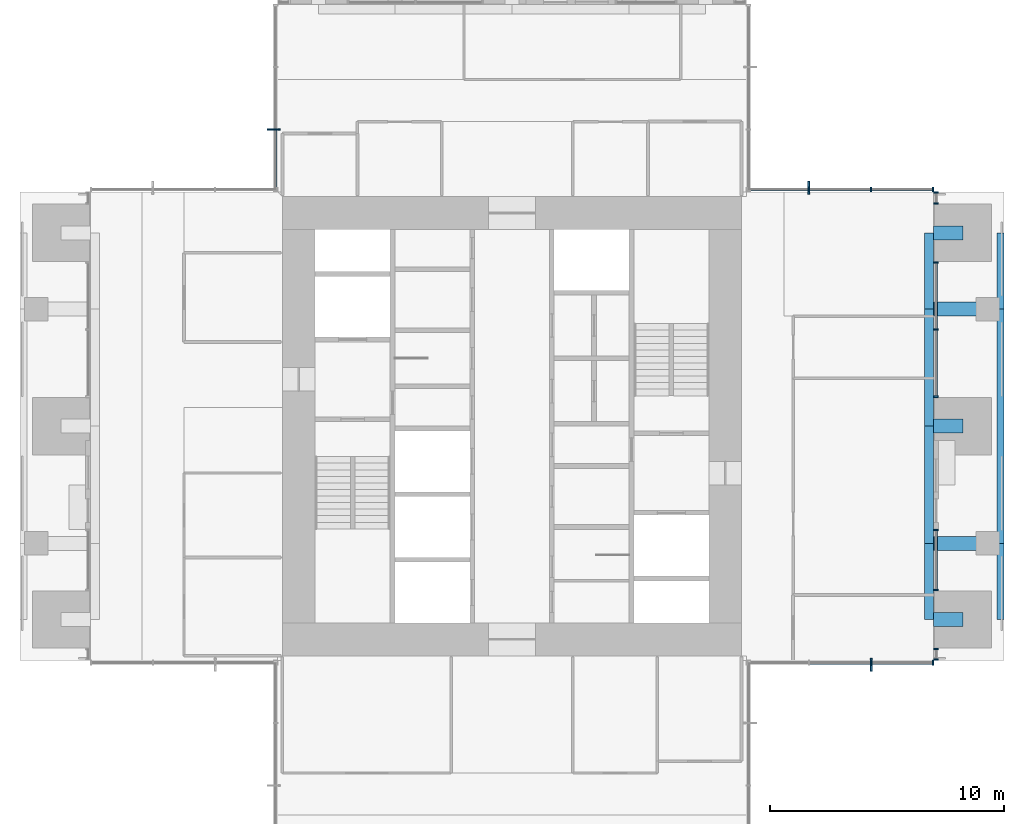
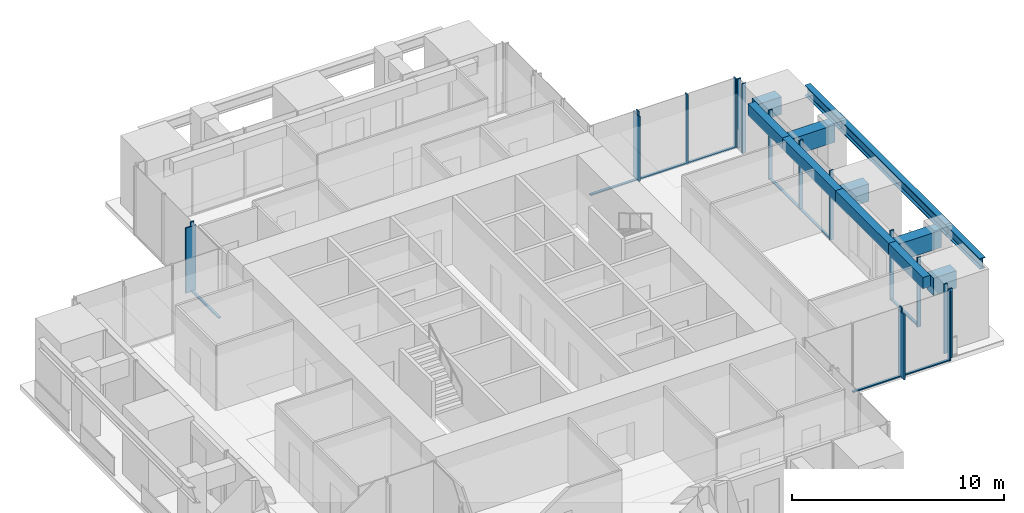
# One storey, part 4 of 17: 27 members, 12 beams, 7 elements without a shape of their own.
"""IFC4 building model written with IfcOpenShell, lengths in metres."""

from ifc_helpers import new_model, si_unit, direction, frame, origin, origin_2d, place, context, subcontext, project, spatial, rectangle, i_section, extrude, material, material_profile, profile_set, type_object, element, aggregate, save


model = new_model("IFC4")

# Units and contexts
model_context = context("Model", 3, precision=1e-05, world=origin(), true_north=direction((0.0, 1.0)))
body_context = subcontext(model_context, "Body", "Model", "MODEL_VIEW")
ifc_project = project(units=[si_unit("LENGTHUNIT", "METRE"), si_unit("AREAUNIT", "SQUARE_METRE"), si_unit("VOLUMEUNIT", "CUBIC_METRE"), si_unit("PLANEANGLEUNIT", "RADIAN"), si_unit("MASSUNIT", "GRAM", prefix="KILO")], contexts=[model_context])

# Site, building, storey
site_placement = place(None, origin())
site = spatial("IfcSite", under=ifc_project, at=site_placement, CompositionType="ELEMENT")
building_placement = place(site_placement, origin())
building = spatial("IfcBuilding", under=site, at=building_placement, Name="Svetlomir Tower", CompositionType="ELEMENT")
storey_placement = place(building_placement, frame((0.0, 0.0, 186.5)))
storey = spatial("IfcBuildingStorey", under=building, at=storey_placement, Name="L44", CompositionType="ELEMENT", Elevation=186.5)

# Curtain wall, member
ifc_material_1 = material(Name="Bronze anodised aluminium curtain wall", Category="aluminium")
curtain_wall_type = type_object("IfcCurtainWallType", Name="CURTAIN WALL CW1 TOWER OFFICE", PredefinedType="NOTDEFINED", material=ifc_material_1)
curtain_wall_1_placement = place(storey_placement, origin())
curtain_wall_1 = element("IfcCurtainWall", 1, at=curtain_wall_1_placement, inside=storey, type_object=curtain_wall_type, Name="Curtain wall CW1 L44", PredefinedType="NOTDEFINED")
ifc_material_2 = material(Name="Bronze anodised aluminium", Category="aluminium")
ifc_material_profile_1 = material_profile(ifc_material_2, rectangle(XDim=0.080078125, YDim=0.550048828125, at=origin_2d()), Name="FIN 80x550")
ifc_profile_set_1 = profile_set([ifc_material_profile_1], Name="Bronze anodised aluminium 6063-T6")
member_type_1 = type_object("IfcMemberType", Name="BRONZE FIN 80x550", PredefinedType="USERDEFINED", material=ifc_profile_set_1)
member_1_placement = place(storey_placement, frame((36.333251953125, 10.824951171875, 0.0), z_axis=(0.0, 0.0, 1.0), x_axis=(1.0, 0.0, 0.0)))
member_1 = element("IfcMember", 2, at=member_1_placement, type_object=member_type_1, Name="Bronze fin L44", ObjectType="FIN", PredefinedType="USERDEFINED", context=body_context, shape_type="SweptSolid", body=[
    extrude(rectangle(XDim=0.080078125, YDim=0.550048828125, at=origin_2d()), origin(), (0.0, 0.0, 1.0), 3.75),
])

curtain_wall_2_placement = place(storey_placement, origin())
curtain_wall_2 = element("IfcCurtainWall", 3, at=curtain_wall_2_placement, inside=storey, type_object=curtain_wall_type, Name="Curtain wall CW1 L44", PredefinedType="NOTDEFINED")
member_2_placement = place(storey_placement, frame((33.666748046875, 31.175048828125, 0.0), z_axis=(0.0, 0.0, 1.0), x_axis=(1.0, 0.0, 0.0)))
member_2 = element("IfcMember", 4, at=member_2_placement, type_object=member_type_1, Name="Bronze fin L44", ObjectType="FIN", PredefinedType="USERDEFINED", context=body_context, shape_type="SweptSolid", body=[
    extrude(rectangle(XDim=0.080078125, YDim=0.550048828125, at=origin_2d()), origin(), (0.0, 0.0, 1.0), 3.75),
])

curtain_wall_3_placement = place(storey_placement, origin())
curtain_wall_3 = element("IfcCurtainWall", 5, at=curtain_wall_3_placement, inside=storey, type_object=curtain_wall_type, Name="Curtain wall CW1 L44", PredefinedType="NOTDEFINED")
member_3_placement = place(storey_placement, frame((10.824951171875, 33.666748046875, 0.0), z_axis=(0.0, 0.0, 1.0), x_axis=(0.0, 1.0, 0.0)))
member_3 = element("IfcMember", 6, at=member_3_placement, type_object=member_type_1, Name="Bronze fin L44", ObjectType="FIN", PredefinedType="USERDEFINED", context=body_context, shape_type="SweptSolid", body=[
    extrude(rectangle(XDim=0.080078125, YDim=0.550048828125, at=origin_2d()), origin(), (0.0, 0.0, 1.0), 3.75),
])

# Member
ifc_material_3 = material(Name="Bronze anodised aluminium", Category="aluminium")
ifc_material_profile_2 = material_profile(ifc_material_3, rectangle(XDim=0.06494140625, YDim=0.199951171875, at=origin_2d()), Name="AL 65x200")
ifc_profile_set_2 = profile_set([ifc_material_profile_2], Name="Bronze anodised aluminium 6063-T6")
member_type_2 = type_object("IfcMemberType", Name="CW1 MULLION 65x200", PredefinedType="MULLION", material=ifc_profile_set_2)
member_4_placement = place(storey_placement, frame((36.333251953125, 10.89990234375, 0.0), z_axis=(0.0, 0.0, 1.0), x_axis=(1.0, 0.0, 0.0)))
member_4 = element("IfcMember", 7, at=member_4_placement, type_object=member_type_2, Name="CW1 mullion 3", PredefinedType="MULLION", context=body_context, shape_type="SweptSolid", body=[
    extrude(rectangle(XDim=0.06494140625, YDim=0.199951171875, at=origin_2d()), origin(), (0.0, 0.0, 1.0), 4.0),
])

member_5_placement = place(storey_placement, frame((38.967529296875, 10.89990234375, 0.0), z_axis=(0.0, 0.0, 1.0), x_axis=(1.0, 0.0, 0.0)))
member_5 = element("IfcMember", 8, at=member_5_placement, type_object=member_type_2, Name="CW1 mullion 4", PredefinedType="MULLION", context=body_context, shape_type="SweptSolid", body=[
    extrude(rectangle(XDim=0.06494140625, YDim=0.199951171875, at=origin_2d()), origin(), (0.0, 0.0, 1.0), 4.0),
])

# Curtain wall, members
curtain_wall_4_placement = place(storey_placement, origin())
curtain_wall_4 = element("IfcCurtainWall", 9, at=curtain_wall_4_placement, inside=storey, type_object=curtain_wall_type, Name="Curtain wall CW1 L44", PredefinedType="NOTDEFINED")
member_6_placement = place(storey_placement, frame((39.10009765625, 11.032470703125, 0.0), z_axis=(0.0, 0.0, 1.0), x_axis=(0.0, 1.0, 0.0)))
member_6 = element("IfcMember", 10, at=member_6_placement, type_object=member_type_2, Name="CW1 mullion 1", PredefinedType="MULLION", context=body_context, shape_type="SweptSolid", body=[
    extrude(rectangle(XDim=0.06494140625, YDim=0.199951171875, at=origin_2d()), origin(), (0.0, 0.0, 1.0), 4.0),
])
member_7_placement = place(storey_placement, frame((39.10009765625, 11.492431640625, 0.0), z_axis=(0.0, 0.0, 1.0), x_axis=(0.0, 1.0, 0.0)))
member_7 = element("IfcMember", 11, at=member_7_placement, type_object=member_type_2, Name="CW1 mullion 2", PredefinedType="MULLION", context=body_context, shape_type="SweptSolid", body=[
    extrude(rectangle(XDim=0.06494140625, YDim=0.199951171875, at=origin_2d()), origin(), (0.0, 0.0, 1.0), 4.0),
])
aggregate(curtain_wall_4, [member_6, member_7])

curtain_wall_5_placement = place(storey_placement, origin())
curtain_wall_5 = element("IfcCurtainWall", 12, at=curtain_wall_5_placement, inside=storey, type_object=curtain_wall_type, Name="Curtain wall CW1 L44", PredefinedType="NOTDEFINED")
member_8_placement = place(storey_placement, frame((39.10009765625, 14.007568359375, 0.0), z_axis=(0.0, 0.0, 1.0), x_axis=(0.0, 1.0, 0.0)))
member_8 = element("IfcMember", 13, at=member_8_placement, type_object=member_type_2, Name="CW1 mullion 1", PredefinedType="MULLION", context=body_context, shape_type="SweptSolid", body=[
    extrude(rectangle(XDim=0.06494140625, YDim=0.199951171875, at=origin_2d()), origin(), (0.0, 0.0, 1.0), 4.0),
])
member_9_placement = place(storey_placement, frame((39.10009765625, 16.5673828125, 0.0), z_axis=(0.0, 0.0, 1.0), x_axis=(0.0, 1.0, 0.0)))
member_9 = element("IfcMember", 14, at=member_9_placement, type_object=member_type_2, Name="CW1 mullion 2", PredefinedType="MULLION", context=body_context, shape_type="SweptSolid", body=[
    extrude(rectangle(XDim=0.06494140625, YDim=0.199951171875, at=origin_2d()), origin(), (0.0, 0.0, 1.0), 4.0),
])

curtain_wall_6_placement = place(storey_placement, origin())
curtain_wall_6 = element("IfcCurtainWall", 15, at=curtain_wall_6_placement, inside=storey, type_object=curtain_wall_type, Name="Curtain wall CW1 L44", PredefinedType="NOTDEFINED")
member_10_placement = place(storey_placement, frame((39.10009765625, 22.257568359375, 0.0), z_axis=(0.0, 0.0, 1.0), x_axis=(0.0, 1.0, 0.0)))
member_10 = element("IfcMember", 16, at=member_10_placement, type_object=member_type_2, Name="CW1 mullion 1", PredefinedType="MULLION", context=body_context, shape_type="SweptSolid", body=[
    extrude(rectangle(XDim=0.06494140625, YDim=0.199951171875, at=origin_2d()), origin(), (0.0, 0.0, 1.0), 4.0),
])
member_11_placement = place(storey_placement, frame((39.10009765625, 25.125, 0.0), z_axis=(0.0, 0.0, 1.0), x_axis=(0.0, 1.0, 0.0)))
member_11 = element("IfcMember", 17, at=member_11_placement, type_object=member_type_2, Name="CW1 mullion 2", PredefinedType="MULLION", context=body_context, shape_type="SweptSolid", body=[
    extrude(rectangle(XDim=0.06494140625, YDim=0.199951171875, at=origin_2d()), origin(), (0.0, 0.0, 1.0), 4.0),
])
member_12_placement = place(storey_placement, frame((39.10009765625, 27.992431640625, 0.0), z_axis=(0.0, 0.0, 1.0), x_axis=(0.0, 1.0, 0.0)))
member_12 = element("IfcMember", 18, at=member_12_placement, type_object=member_type_2, Name="CW1 mullion 3", PredefinedType="MULLION", context=body_context, shape_type="SweptSolid", body=[
    extrude(rectangle(XDim=0.06494140625, YDim=0.199951171875, at=origin_2d()), origin(), (0.0, 0.0, 1.0), 4.0),
])

curtain_wall_7_placement = place(storey_placement, origin())
curtain_wall_7 = element("IfcCurtainWall", 19, at=curtain_wall_7_placement, inside=storey, type_object=curtain_wall_type, Name="Curtain wall CW1 L44", PredefinedType="NOTDEFINED")
member_13_placement = place(storey_placement, frame((39.10009765625, 30.507568359375, 0.0), z_axis=(0.0, 0.0, 1.0), x_axis=(0.0, 1.0, 0.0)))
member_13 = element("IfcMember", 20, at=member_13_placement, type_object=member_type_2, Name="CW1 mullion 1", PredefinedType="MULLION", context=body_context, shape_type="SweptSolid", body=[
    extrude(rectangle(XDim=0.06494140625, YDim=0.199951171875, at=origin_2d()), origin(), (0.0, 0.0, 1.0), 4.0),
])
member_14_placement = place(storey_placement, frame((39.10009765625, 30.967529296875, 0.0), z_axis=(0.0, 0.0, 1.0), x_axis=(0.0, 1.0, 0.0)))
member_14 = element("IfcMember", 21, at=member_14_placement, type_object=member_type_2, Name="CW1 mullion 2", PredefinedType="MULLION", context=body_context, shape_type="SweptSolid", body=[
    extrude(rectangle(XDim=0.06494140625, YDim=0.199951171875, at=origin_2d()), origin(), (0.0, 0.0, 1.0), 4.0),
])
aggregate(curtain_wall_7, [member_13, member_14])

# Member
member_15_placement = place(storey_placement, frame((38.967529296875, 31.10009765625, 0.0), z_axis=(0.0, 0.0, 1.0), x_axis=(-1.0, 0.0, 0.0)))
member_15 = element("IfcMember", 22, at=member_15_placement, type_object=member_type_2, Name="CW1 mullion 1", PredefinedType="MULLION", context=body_context, shape_type="SweptSolid", body=[
    extrude(rectangle(XDim=0.06494140625, YDim=0.199951171875, at=origin_2d()), origin(), (0.0, 0.0, 1.0), 4.0),
])

member_16_placement = place(storey_placement, frame((36.333251953125, 31.10009765625, 0.0), z_axis=(0.0, 0.0, 1.0), x_axis=(-1.0, 0.0, 0.0)))
member_16 = element("IfcMember", 23, at=member_16_placement, type_object=member_type_2, Name="CW1 mullion 2", PredefinedType="MULLION", context=body_context, shape_type="SweptSolid", body=[
    extrude(rectangle(XDim=0.06494140625, YDim=0.199951171875, at=origin_2d()), origin(), (0.0, 0.0, 1.0), 4.0),
])

member_17_placement = place(storey_placement, frame((33.666748046875, 31.10009765625, 0.0), z_axis=(0.0, 0.0, 1.0), x_axis=(-1.0, 0.0, 0.0)))
member_17 = element("IfcMember", 24, at=member_17_placement, type_object=member_type_2, Name="CW1 mullion 3", PredefinedType="MULLION", context=body_context, shape_type="SweptSolid", body=[
    extrude(rectangle(XDim=0.06494140625, YDim=0.199951171875, at=origin_2d()), origin(), (0.0, 0.0, 1.0), 4.0),
])

member_18_placement = place(storey_placement, frame((10.89990234375, 33.666748046875, 0.0), z_axis=(0.0, 0.0, 1.0), x_axis=(0.0, -1.0, 0.0)))
member_18 = element("IfcMember", 25, at=member_18_placement, type_object=member_type_2, Name="CW1 mullion 3", PredefinedType="MULLION", context=body_context, shape_type="SweptSolid", body=[
    extrude(rectangle(XDim=0.06494140625, YDim=0.199951171875, at=origin_2d()), origin(), (0.0, 0.0, 1.0), 4.0),
])

ifc_material_4 = material(Name="Bronze anodised aluminium", Category="aluminium")
ifc_material_profile_3 = material_profile(ifc_material_4, rectangle(XDim=0.139892578125, YDim=0.06494140625, at=origin_2d()), Name="AL 140x65")
ifc_profile_set_3 = profile_set([ifc_material_profile_3], Name="Bronze anodised aluminium 6063-T6")
member_type_3 = type_object("IfcMemberType", Name="CW1 TRANSOM 65x140", PredefinedType="USERDEFINED", material=ifc_profile_set_3)
member_19_placement = place(storey_placement, frame((33.69921875, 10.89990234375, 0.032470703125), z_axis=(1.0, 0.0, 0.0), x_axis=(0.0, 1.0, 0.0)))
member_19 = element("IfcMember", 26, at=member_19_placement, type_object=member_type_3, Name="CW1 transom 2.1", ObjectType="TRANSOM", PredefinedType="USERDEFINED", context=body_context, shape_type="SweptSolid", body=[
    extrude(rectangle(XDim=0.139892578125, YDim=0.06494140625, at=origin_2d()), origin(), (0.0, 0.0, 1.0), 2.6015625),
])

member_20_placement = place(storey_placement, frame((36.36572265625, 10.89990234375, 0.032470703125), z_axis=(1.0, 0.0, 0.0), x_axis=(0.0, 1.0, 0.0)))
member_20 = element("IfcMember", 27, at=member_20_placement, type_object=member_type_3, Name="CW1 transom 3.1", ObjectType="TRANSOM", PredefinedType="USERDEFINED", context=body_context, shape_type="SweptSolid", body=[
    extrude(rectangle(XDim=0.139892578125, YDim=0.06494140625, at=origin_2d()), origin(), (0.0, 0.0, 1.0), 2.5693359375),
])

aggregate(curtain_wall_1, [member_4, member_5, member_19, member_20, member_1])

member_21_placement = place(storey_placement, frame((39.10009765625, 14.0400390625, 0.032470703125), z_axis=(0.0, 1.0, 0.0), x_axis=(-1.0, 0.0, 0.0)))
member_21 = element("IfcMember", 28, at=member_21_placement, type_object=member_type_3, Name="CW1 transom 1.1", ObjectType="TRANSOM", PredefinedType="USERDEFINED", context=body_context, shape_type="SweptSolid", body=[
    extrude(rectangle(XDim=0.139892578125, YDim=0.06494140625, at=origin_2d()), origin(), (0.0, 0.0, 1.0), 2.494873046875),
])

aggregate(curtain_wall_5, [member_8, member_9, member_21])

member_22_placement = place(storey_placement, frame((39.10009765625, 22.2900390625, 0.032470703125), z_axis=(0.0, 1.0, 0.0), x_axis=(-1.0, 0.0, 0.0)))
member_22 = element("IfcMember", 29, at=member_22_placement, type_object=member_type_3, Name="CW1 transom 1.1", ObjectType="TRANSOM", PredefinedType="USERDEFINED", context=body_context, shape_type="SweptSolid", body=[
    extrude(rectangle(XDim=0.139892578125, YDim=0.06494140625, at=origin_2d()), origin(), (0.0, 0.0, 1.0), 2.802490234375),
])

member_23_placement = place(storey_placement, frame((39.10009765625, 25.157470703125, 0.032470703125), z_axis=(0.0, 1.0, 0.0), x_axis=(-1.0, 0.0, 0.0)))
member_23 = element("IfcMember", 30, at=member_23_placement, type_object=member_type_3, Name="CW1 transom 2.1", ObjectType="TRANSOM", PredefinedType="USERDEFINED", context=body_context, shape_type="SweptSolid", body=[
    extrude(rectangle(XDim=0.139892578125, YDim=0.06494140625, at=origin_2d()), origin(), (0.0, 0.0, 1.0), 2.802490234375),
])

aggregate(curtain_wall_6, [member_10, member_11, member_12, member_22, member_23])

member_24_placement = place(storey_placement, frame((38.93505859375, 31.10009765625, 0.032470703125), z_axis=(-1.0, 0.0, 0.0), x_axis=(0.0, -1.0, 0.0)))
member_24 = element("IfcMember", 31, at=member_24_placement, type_object=member_type_3, Name="CW1 transom 1.1", ObjectType="TRANSOM", PredefinedType="USERDEFINED", context=body_context, shape_type="SweptSolid", body=[
    extrude(rectangle(XDim=0.139892578125, YDim=0.06494140625, at=origin_2d()), origin(), (0.0, 0.0, 1.0), 2.5693359375),
])

member_25_placement = place(storey_placement, frame((36.30078125, 31.10009765625, 0.032470703125), z_axis=(-1.0, 0.0, 0.0), x_axis=(0.0, -1.0, 0.0)))
member_25 = element("IfcMember", 32, at=member_25_placement, type_object=member_type_3, Name="CW1 transom 2.1", ObjectType="TRANSOM", PredefinedType="USERDEFINED", context=body_context, shape_type="SweptSolid", body=[
    extrude(rectangle(XDim=0.139892578125, YDim=0.06494140625, at=origin_2d()), origin(), (0.0, 0.0, 1.0), 2.6015625),
])

member_26_placement = place(storey_placement, frame((33.63427734375, 31.10009765625, 0.032470703125), z_axis=(-1.0, 0.0, 0.0), x_axis=(0.0, -1.0, 0.0)))
member_26 = element("IfcMember", 33, at=member_26_placement, type_object=member_type_3, Name="CW1 transom 3.1", ObjectType="TRANSOM", PredefinedType="USERDEFINED", context=body_context, shape_type="SweptSolid", body=[
    extrude(rectangle(XDim=0.139892578125, YDim=0.06494140625, at=origin_2d()), origin(), (0.0, 0.0, 1.0), 2.5693359375),
])

aggregate(curtain_wall_2, [member_15, member_16, member_17, member_24, member_25, member_26, member_2])

member_27_placement = place(storey_placement, frame((10.89990234375, 33.63427734375, 0.032470703125), z_axis=(0.0, -1.0, 0.0), x_axis=(1.0, 0.0, 0.0)))
member_27 = element("IfcMember", 34, at=member_27_placement, type_object=member_type_3, Name="CW1 transom 3.1", ObjectType="TRANSOM", PredefinedType="USERDEFINED", context=body_context, shape_type="SweptSolid", body=[
    extrude(rectangle(XDim=0.139892578125, YDim=0.06494140625, at=origin_2d()), origin(), (0.0, 0.0, 1.0), 2.5693359375),
])

aggregate(curtain_wall_3, [member_18, member_27, member_3])

# Beams
ifc_material_5 = material(Name="Steel S355", Category="steel")
ifc_material_profile_4 = material_profile(ifc_material_5, i_section(OverallWidth=0.304931640625, OverallDepth=0.6201171875, WebThickness=0.02099609375, FlangeThickness=0.0400390625, FilletRadius=0.027099609375, at=origin_2d()), Name="HEM 600")
ifc_profile_set_4 = profile_set([ifc_material_profile_4], Name="Steel S355")
beam_type_1 = type_object("IfcBeamType", Name="EDGE BEAM HEM 600", PredefinedType="SPANDREL", material=ifc_profile_set_4)
beam_1_placement = place(storey_placement, frame((41.847412109375, 12.75, 3.43994140625), z_axis=(0.0, 1.0, 0.0), x_axis=(-1.0, 0.0, 0.0)))
element("IfcBeam", 35, at=beam_1_placement, inside=storey, type_object=beam_type_1, Name="Edge beam 42/11 to 42/16 under L45", PredefinedType="SPANDREL", context=body_context, shape_type="SweptSolid", body=[
    extrude(i_section(OverallWidth=0.304931640625, OverallDepth=0.6201171875, WebThickness=0.02099609375, FlangeThickness=0.0400390625, FilletRadius=0.027099609375, at=origin_2d()), origin(), (0.0, 0.0, 1.0), 3.25),
])
beam_2_placement = place(storey_placement, frame((41.847412109375, 16.0, 3.43994140625), z_axis=(0.0, 1.0, 0.0), x_axis=(-1.0, 0.0, 0.0)))
element("IfcBeam", 36, at=beam_2_placement, inside=storey, type_object=beam_type_1, Name="Edge beam 42/16 to 42/26 under L45", PredefinedType="SPANDREL", context=body_context, shape_type="SweptSolid", body=[
    extrude(i_section(OverallWidth=0.304931640625, OverallDepth=0.6201171875, WebThickness=0.02099609375, FlangeThickness=0.0400390625, FilletRadius=0.027099609375, at=origin_2d()), origin(), (0.0, 0.0, 1.0), 10.0),
])
beam_3_placement = place(storey_placement, frame((41.847412109375, 26.0, 3.43994140625), z_axis=(0.0, 1.0, 0.0), x_axis=(-1.0, 0.0, 0.0)))
element("IfcBeam", 37, at=beam_3_placement, inside=storey, type_object=beam_type_1, Name="Edge beam 42/26 to 42/31 under L45", PredefinedType="SPANDREL", context=body_context, shape_type="SweptSolid", body=[
    extrude(i_section(OverallWidth=0.304931640625, OverallDepth=0.6201171875, WebThickness=0.02099609375, FlangeThickness=0.0400390625, FilletRadius=0.027099609375, at=origin_2d()), origin(), (0.0, 0.0, 1.0), 3.25),
])
ifc_material_6 = material(Name="Concrete C60/75", Category="concrete")
ifc_material_profile_5 = material_profile(ifc_material_6, rectangle(XDim=0.39990234375, YDim=0.64990234375, at=origin_2d()), Name="RC 400x650")
ifc_profile_set_5 = profile_set([ifc_material_profile_5], Name="Concrete C60/75")
beam_type_2 = type_object("IfcBeamType", Name="FACADE EDGE BEAM RC 400x650", PredefinedType="BEAM", material=ifc_profile_set_5)
beam_4_placement = place(storey_placement, frame((38.800048828125, 12.75, 3.425048828125), z_axis=(0.0, 1.0, 0.0), x_axis=(-1.0, 0.0, 0.0)))
element("IfcBeam", 38, at=beam_4_placement, inside=storey, type_object=beam_type_2, Name="Facade edge beam E 11 to 16 under L45", PredefinedType="BEAM", context=body_context, shape_type="SweptSolid", body=[
    extrude(rectangle(XDim=0.39990234375, YDim=0.64990234375, at=origin_2d()), origin(), (0.0, 0.0, 1.0), 3.25),
])
for number, where, z_axis, x_axis, name in (
    (39, (38.800048828125, 16.0, 3.425048828125), (0.0, 1.0, 0.0), (-1.0, 0.0, 0.0), "Facade edge beam E 16 to 21 under L45"),
    (40, (38.800048828125, 21.0, 3.425048828125), (0.0, 1.0, 0.0), (-1.0, 0.0, 0.0), "Facade edge beam E 21 to 26 under L45"),
):
    element("IfcBeam", number, at=place(storey_placement, frame(where, z_axis=z_axis, x_axis=x_axis)), inside=storey, type_object=beam_type_2, Name=name, PredefinedType="BEAM", context=body_context, shape_type="SweptSolid", body=[
        extrude(rectangle(XDim=0.39990234375, YDim=0.64990234375, at=origin_2d()), origin(), (0.0, 0.0, 1.0), 5.0),
    ])
beam_5_placement = place(storey_placement, frame((38.800048828125, 26.0, 3.425048828125), z_axis=(0.0, 1.0, 0.0), x_axis=(-1.0, 0.0, 0.0)))
element("IfcBeam", 41, at=beam_5_placement, inside=storey, type_object=beam_type_2, Name="Facade edge beam E 26 to 31 under L45", PredefinedType="BEAM", context=body_context, shape_type="SweptSolid", body=[
    extrude(rectangle(XDim=0.39990234375, YDim=0.64990234375, at=origin_2d()), origin(), (0.0, 0.0, 1.0), 3.25),
])
ifc_material_7 = material(Name="Concrete C60/75", Category="concrete")
ifc_material_profile_6 = material_profile(ifc_material_7, rectangle(XDim=0.60009765625, YDim=1.0, at=origin_2d()), Name="RC 600x1000")
ifc_profile_set_6 = profile_set([ifc_material_profile_6], Name="Concrete C60/75")
beam_type_3 = type_object("IfcBeamType", Name="LOGGIA LINK BEAM RC 600x1000", PredefinedType="BEAM", material=ifc_profile_set_6)
beam_6_placement = place(storey_placement, frame((40.25, 12.75, 3.25), z_axis=(-1.0, 0.0, 0.0), x_axis=(0.0, -1.0, 0.0)))
element("IfcBeam", 42, at=beam_6_placement, inside=storey, type_object=beam_type_3, Name="Loggia link beam E 11 under L45", PredefinedType="BEAM", context=body_context, shape_type="SweptSolid", body=[
    extrude(rectangle(XDim=0.60009765625, YDim=1.0, at=origin_2d()), origin(), (0.0, 0.0, 1.0), 1.25),
])
beam_7_placement = place(storey_placement, frame((41.300048828125, 16.0, 3.25), z_axis=(-1.0, 0.0, 0.0), x_axis=(0.0, -1.0, 0.0)))
element("IfcBeam", 43, at=beam_7_placement, inside=storey, type_object=beam_type_3, Name="Loggia link beam E 16 under L45", PredefinedType="BEAM", context=body_context, shape_type="SweptSolid", body=[
    extrude(rectangle(XDim=0.60009765625, YDim=1.0, at=origin_2d()), origin(), (0.0, 0.0, 1.0), 2.300048828125),
])
beam_8_placement = place(storey_placement, frame((40.25, 21.0, 3.25), z_axis=(-1.0, 0.0, 0.0), x_axis=(0.0, -1.0, 0.0)))
element("IfcBeam", 44, at=beam_8_placement, inside=storey, type_object=beam_type_3, Name="Loggia link beam E 21 under L45", PredefinedType="BEAM", context=body_context, shape_type="SweptSolid", body=[
    extrude(rectangle(XDim=0.60009765625, YDim=1.0, at=origin_2d()), origin(), (0.0, 0.0, 1.0), 1.25),
])
beam_9_placement = place(storey_placement, frame((41.300048828125, 26.0, 3.25), z_axis=(-1.0, 0.0, 0.0), x_axis=(0.0, -1.0, 0.0)))
element("IfcBeam", 45, at=beam_9_placement, inside=storey, type_object=beam_type_3, Name="Loggia link beam E 26 under L45", PredefinedType="BEAM", context=body_context, shape_type="SweptSolid", body=[
    extrude(rectangle(XDim=0.60009765625, YDim=1.0, at=origin_2d()), origin(), (0.0, 0.0, 1.0), 2.300048828125),
])
beam_10_placement = place(storey_placement, frame((40.25, 29.25, 3.25), z_axis=(-1.0, 0.0, 0.0), x_axis=(0.0, -1.0, 0.0)))
element("IfcBeam", 46, at=beam_10_placement, inside=storey, type_object=beam_type_3, Name="Loggia link beam E 31 under L45", PredefinedType="BEAM", context=body_context, shape_type="SweptSolid", body=[
    extrude(rectangle(XDim=0.60009765625, YDim=1.0, at=origin_2d()), origin(), (0.0, 0.0, 1.0), 1.25),
])

save(model, "model.ifc")
